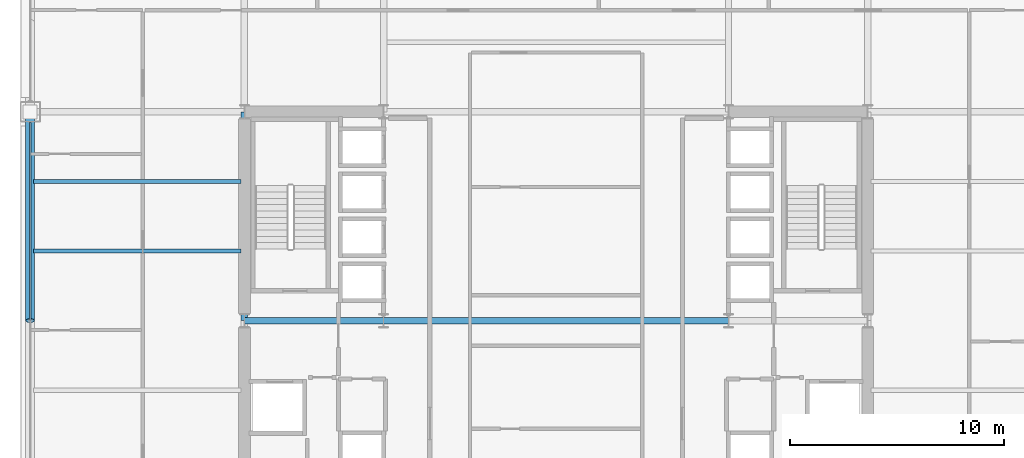
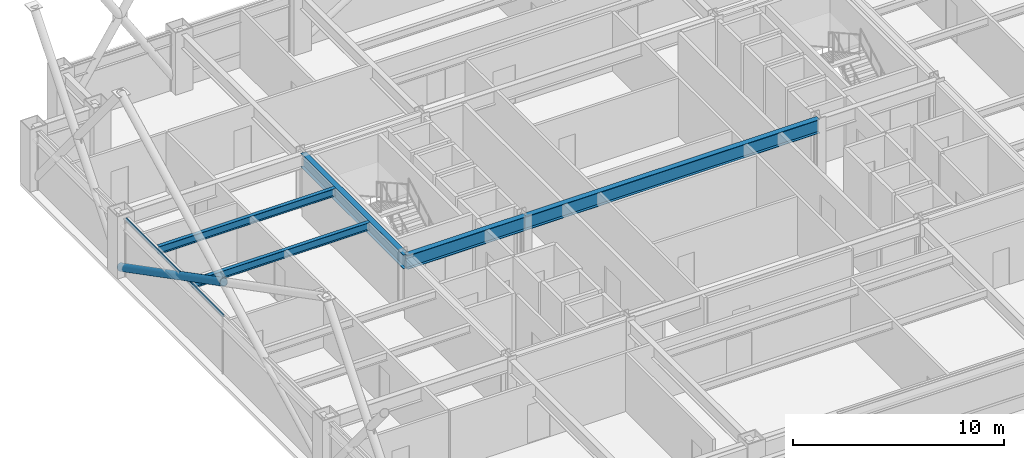
# One storey, part 10 of 34: 5 beams, 2 members, 1 element without a shape of its own.
"""IFC4 building model written with IfcOpenShell, lengths in metres."""

from ifc_helpers import new_model, si_unit, direction, frame, origin, origin_2d, place, context, subcontext, project, spatial, hollow_rectangle, hollow_circle, i_section, extrude, material, layer, layer_set, material_profile, profile_set, type_object, element, aggregate, save


model = new_model("IFC4")

# Units and contexts
model_context = context("Model", 3, precision=1e-05, world=origin(), true_north=direction((0.0, 1.0)))
body_context = subcontext(model_context, "Body", "Model", "MODEL_VIEW")
ifc_project = project(units=[si_unit("LENGTHUNIT", "METRE"), si_unit("AREAUNIT", "SQUARE_METRE"), si_unit("VOLUMEUNIT", "CUBIC_METRE"), si_unit("PLANEANGLEUNIT", "RADIAN"), si_unit("MASSUNIT", "GRAM", prefix="KILO")], contexts=[model_context])

# Site, building, storey
site_placement = place(None, origin())
site = spatial("IfcSite", under=ifc_project, at=site_placement, CompositionType="ELEMENT")
building_placement = place(site_placement, origin())
building = spatial("IfcBuilding", under=site, at=building_placement, Name="Brelmoor Portico Tower", CompositionType="ELEMENT")
storey_placement = place(building_placement, frame((0.0, 0.0, 45.60009765625)))
storey = spatial("IfcBuildingStorey", under=building, at=storey_placement, Name="L11", CompositionType="ELEMENT", Elevation=45.60009765625)

# Beams
ifc_material_1 = material(Name="Steel Q355B", Category="steel")
ifc_material_profile_1 = material_profile(ifc_material_1, i_section(OverallWidth=0.199951171875, OverallDepth=0.449951171875, WebThickness=0.009033203125, FlangeThickness=0.013916015625, at=origin_2d()), Name="HN 450x200x9x14")
ifc_profile_set_1 = profile_set([ifc_material_profile_1], Name="Steel Q355B")
beam_type_1 = type_object("IfcBeamType", Name="BM-JS-450", PredefinedType="JOIST", material=ifc_profile_set_1)
for number, where, z_axis, x_axis, name in (
    (1, (-24.39990234375, 3.25, 3.1748046875), (1.0, 0.0, 0.0), (0.0, 1.0, 0.0), "L11 Secondary Wing Joist JS-W07"),
    (2, (-24.39990234375, 6.5, 3.1748046875), (1.0, 0.0, 0.0), (0.0, 1.0, 0.0), "L11 Secondary Wing Joist JS-W08"),
):
    element("IfcBeam", number, at=place(storey_placement, frame(where, z_axis=z_axis, x_axis=x_axis)), inside=storey, type_object=beam_type_1, Name=name, PredefinedType="JOIST", context=body_context, shape_type="SweptSolid", body=[
        extrude(i_section(OverallWidth=0.199951171875, OverallDepth=0.449951171875, WebThickness=0.009033203125, FlangeThickness=0.013916015625, at=origin_2d()), origin(), (0.0, 0.0, 1.0), 9.699951171875),
    ])
ifc_material_profile_2 = material_profile(ifc_material_1, i_section(OverallWidth=0.300048828125, OverallDepth=0.800048828125, WebThickness=0.013916015625, FlangeThickness=0.02587890625, at=origin_2d()), Name="HN 800x300x14x26")
ifc_profile_set_2 = profile_set([ifc_material_profile_2], Name="Steel Q355B")
beam_type_2 = type_object("IfcBeamType", Name="BM-PG-800", PredefinedType="BEAM", material=ifc_profile_set_2)
beam_1_placement = place(storey_placement, frame((-14.550048828125, 0.0, 3.0), z_axis=(0.0, 1.0, 0.0), x_axis=(-1.0, 0.0, 0.0)))
element("IfcBeam", 3, at=beam_1_placement, inside=storey, type_object=beam_type_2, Name="L11 Primary Floor Girder PG-05", PredefinedType="BEAM", context=body_context, shape_type="SweptSolid", body=[
    extrude(i_section(OverallWidth=0.300048828125, OverallDepth=0.800048828125, WebThickness=0.013916015625, FlangeThickness=0.02587890625, at=origin_2d()), origin(), (0.0, 0.0, 1.0), 9.75),
])
beam_2_placement = place(storey_placement, frame((-14.550048828125, 0.0, 3.0), z_axis=(1.0, 0.0, 0.0), x_axis=(0.0, 1.0, 0.0)))
element("IfcBeam", 4, at=beam_2_placement, inside=storey, type_object=beam_type_2, Name="L11 Primary Floor Girder PG-24", PredefinedType="BEAM", context=body_context, shape_type="SweptSolid", body=[
    extrude(i_section(OverallWidth=0.300048828125, OverallDepth=0.800048828125, WebThickness=0.013916015625, FlangeThickness=0.02587890625, at=origin_2d()), origin(), (0.0, 0.0, 1.0), 6.5),
])
beam_3_placement = place(storey_placement, frame((-8.050048828125, 0.0, 3.0), z_axis=(1.0, 0.0, 0.0), x_axis=(0.0, 1.0, 0.0)))
element("IfcBeam", 5, at=beam_3_placement, inside=storey, type_object=beam_type_2, Name="L11 Primary Floor Girder PG-25", PredefinedType="BEAM", context=body_context, shape_type="SweptSolid", body=[
    extrude(i_section(OverallWidth=0.300048828125, OverallDepth=0.800048828125, WebThickness=0.013916015625, FlangeThickness=0.02587890625, at=origin_2d()), origin(), (0.0, 0.0, 1.0), 16.10009765625),
])

# Member
ifc_material_profile_3 = material_profile(ifc_material_1, hollow_circle(Radius=0.212890625, WallThickness=0.02001953125, at=origin_2d()), Name="CHS 426x20")
ifc_profile_set_3 = profile_set([ifc_material_profile_3], Name="Steel Q355B")
member_type_1 = type_object("IfcMemberType", Name="MB-BELT-DIAG1", PredefinedType="BRACE", material=ifc_profile_set_3)
member_1_placement = place(storey_placement, frame((-24.550048828125, 9.75, 0.25), z_axis=(0.0, -0.887968466347, 0.459904340894), x_axis=(1.0, 0.0, 0.0)))
element("IfcMember", 6, at=member_1_placement, inside=storey, type_object=member_type_1, Name="L11 Split Mega-X Brace 022B1", PredefinedType="BRACE", context=body_context, shape_type="SweptSolid", body=[
    extrude(hollow_circle(Radius=0.212890625, WallThickness=0.02001953125, at=origin_2d()), origin(), (0.0, 0.0, 1.0), 10.980224609375),
])

# Curtain wall, member
ifc_material_2 = material(Name="Anodised Aluminium Alloy 6063-T6", Category="aluminium")
ifc_layer = layer(ifc_material_2, 0.179931640625)
ifc_layer_set = layer_set([ifc_layer], Name="Anodised Aluminium Alloy 6063-T6")
curtain_wall_type = type_object("IfcCurtainWallType", Name="CW-TOWER-Z1-XB", PredefinedType="NOTDEFINED", material=ifc_layer_set)
curtain_wall_placement = place(storey_placement, origin())
curtain_wall = element("IfcCurtainWall", 7, at=curtain_wall_placement, inside=storey, type_object=curtain_wall_type, Name="L11 Curtain Wall CW-L11-03-2", PredefinedType="NOTDEFINED")
ifc_material_profile_4 = material_profile(ifc_material_2, hollow_rectangle(XDim=0.06494140625, YDim=0.139892578125, WallThickness=0.00390625, at=origin_2d()), Name="ALU TRANSOM 65x140")
ifc_profile_set_4 = profile_set([ifc_material_profile_4], Name="Anodised Aluminium Alloy 6063-T6")
member_type_2 = type_object("IfcMemberType", Name="MB-CW-TRAN-140", PredefinedType="USERDEFINED", material=ifc_profile_set_4)
member_2_placement = place(storey_placement, frame((-24.550048828125, 0.0, 3.329833984375), z_axis=(0.0, 1.0, 0.0), x_axis=(-1.0, 0.0, 0.0)))
member_2 = element("IfcMember", 8, at=member_2_placement, type_object=member_type_2, Name="CW-L11-03-2 Transom 1-01", ObjectType="TRANSOM", PredefinedType="USERDEFINED", context=body_context, shape_type="SweptSolid", body=[
    extrude(hollow_rectangle(XDim=0.06494140625, YDim=0.139892578125, WallThickness=0.00390625, at=origin_2d()), origin(), (0.0, 0.0, 1.0), 9.264892578125),
])
aggregate(curtain_wall, [member_2])

save(model, "model.ifc")
